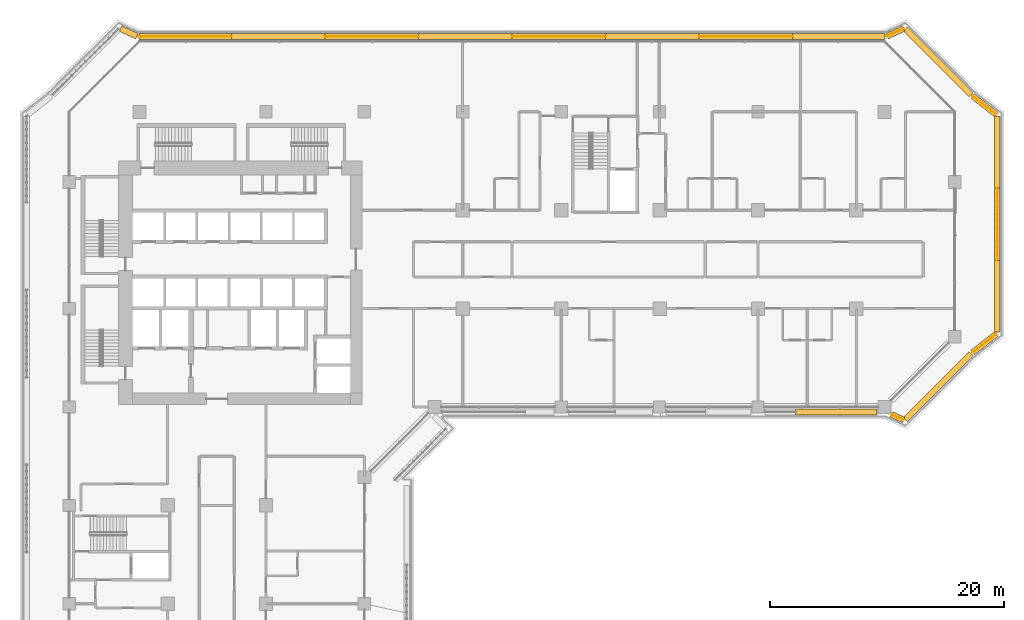
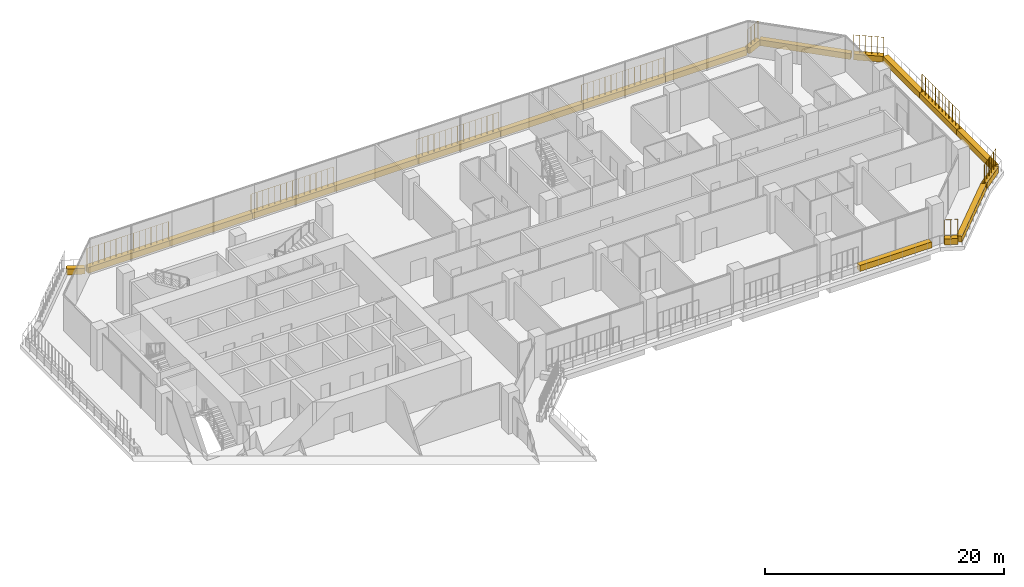
# One storey, part 23 of 23: 19 coverings, 9 railings.
"""IFC4 building model written with IfcOpenShell, lengths in metres."""

from ifc_helpers import new_model, si_unit, direction, frame, origin, origin_2d, place, context, subcontext, project, spatial, rectangle, circle, extrude, material, material_profile, profile_set, type_object, element, save


model = new_model("IFC4")

# Units and contexts
model_context = context("Model", 3, precision=1e-05, world=origin(), true_north=direction((0.0, 1.0)))
body_context = subcontext(model_context, "Body", "Model", "MODEL_VIEW")
ifc_project = project(units=[si_unit("LENGTHUNIT", "METRE"), si_unit("AREAUNIT", "SQUARE_METRE"), si_unit("VOLUMEUNIT", "CUBIC_METRE"), si_unit("PLANEANGLEUNIT", "RADIAN"), si_unit("MASSUNIT", "GRAM", prefix="KILO")], contexts=[model_context])

# Site, building, storey
site_placement = place(None, origin())
site = spatial("IfcSite", under=ifc_project, at=site_placement, CompositionType="ELEMENT")
building_placement = place(site_placement, origin())
building = spatial("IfcBuilding", under=site, at=building_placement, Name="Kawkab Arch Medical Tower", CompositionType="ELEMENT")
storey_placement = place(building_placement, frame((0.0, 0.0, 149.199951171875)))
storey = spatial("IfcBuildingStorey", under=building, at=storey_placement, Name="L34", CompositionType="ELEMENT", Elevation=149.199951171875)

# Coverings
ifc_material_1 = material(Name="Planting soil in a precast trough", Category="concrete")
ifc_material_profile = material_profile(ifc_material_1, rectangle(XDim=0.5, YDim=0.60009765625, at=origin_2d()), Name="Trough 500x600")
ifc_profile_set = profile_set([ifc_material_profile], Name="Planting soil in a precast trough")
covering_type = type_object("IfcCoveringType", Name="Planter trough 500 x 600", PredefinedType="USERDEFINED", material=ifc_profile_set)
covering_1_placement = place(storey_placement, frame((4.37890625, 7.10205078125, 0.300048828125), z_axis=(0.909655525109, -0.415363486165, 0.0), x_axis=(0.415363486165, 0.909655525109, 0.0)))
element("IfcCovering", 1, at=covering_1_placement, inside=storey, type_object=covering_type, Name="Planter L34.LOG-01-01.16", ObjectType="PLANTER", PredefinedType="USERDEFINED", context=body_context, shape_type="SweptSolid", body=[
    extrude(rectangle(XDim=0.5, YDim=0.60009765625, at=origin_2d()), origin(), (0.0, 0.0, 1.0), 1.54345703125),
])
covering_2_placement = place(storey_placement, frame((5.97412109375, 6.419921875, 0.300048828125), z_axis=(1.0, 0.0, 0.0), x_axis=(0.0, 1.0, 0.0)))
element("IfcCovering", 2, at=covering_2_placement, inside=storey, type_object=covering_type, Name="Planter L34.LOG-01-01.17", ObjectType="PLANTER", PredefinedType="USERDEFINED", context=body_context, shape_type="SweptSolid", body=[
    extrude(rectangle(XDim=0.5, YDim=0.60009765625, at=origin_2d()), origin(), (0.0, 0.0, 1.0), 7.8818359375),
])
covering_3_placement = place(storey_placement, frame((13.85595703125, 6.419921875, 0.300048828125), z_axis=(1.0, 0.0, 0.0), x_axis=(0.0, 1.0, 0.0)))
element("IfcCovering", 3, at=covering_3_placement, inside=storey, type_object=covering_type, Name="Planter L34.LOG-01-01.18", ObjectType="PLANTER", PredefinedType="USERDEFINED", context=body_context, shape_type="SweptSolid", body=[
    extrude(rectangle(XDim=0.5, YDim=0.60009765625, at=origin_2d()), origin(), (0.0, 0.0, 1.0), 7.98095703125),
])
covering_4_placement = place(storey_placement, frame((21.8369140625, 6.419921875, 0.300048828125), z_axis=(1.0, 0.0, 0.0), x_axis=(0.0, 1.0, 0.0)))
element("IfcCovering", 4, at=covering_4_placement, inside=storey, type_object=covering_type, Name="Planter L34.LOG-01-01.19", ObjectType="PLANTER", PredefinedType="USERDEFINED", context=body_context, shape_type="SweptSolid", body=[
    extrude(rectangle(XDim=0.5, YDim=0.60009765625, at=origin_2d()), origin(), (0.0, 0.0, 1.0), 7.982177734375),
])
for number, where, z_axis, x_axis, name in (
    (5, (29.819091796875, 6.419921875, 0.300048828125), (1.0, 0.0, 0.0), (0.0, 1.0, 0.0), "Planter L34.LOG-01-01.20"),
    (6, (37.800048828125, 6.419921875, 0.300048828125), (1.0, 0.0, 0.0), (0.0, 1.0, 0.0), "Planter L34.LOG-01-01.21"),
):
    element("IfcCovering", number, at=place(storey_placement, frame(where, z_axis=z_axis, x_axis=x_axis)), inside=storey, type_object=covering_type, Name=name, ObjectType="PLANTER", PredefinedType="USERDEFINED", context=body_context, shape_type="SweptSolid", body=[
        extrude(rectangle(XDim=0.5, YDim=0.60009765625, at=origin_2d()), origin(), (0.0, 0.0, 1.0), 7.98095703125),
    ])
covering_5_placement = place(storey_placement, frame((45.781005859375, 6.419921875, 0.300048828125), z_axis=(1.0, 0.0, 0.0), x_axis=(0.0, 1.0, 0.0)))
element("IfcCovering", 7, at=covering_5_placement, inside=storey, type_object=covering_type, Name="Planter L34.LOG-01-01.22", ObjectType="PLANTER", PredefinedType="USERDEFINED", context=body_context, shape_type="SweptSolid", body=[
    extrude(rectangle(XDim=0.5, YDim=0.60009765625, at=origin_2d()), origin(), (0.0, 0.0, 1.0), 7.98193359375),
])
covering_6_placement = place(storey_placement, frame((53.762939453125, 6.419921875, 0.300048828125), z_axis=(1.0, 0.0, 0.0), x_axis=(0.0, 1.0, 0.0)))
element("IfcCovering", 8, at=covering_6_placement, inside=storey, type_object=covering_type, Name="Planter L34.LOG-01-01.23", ObjectType="PLANTER", PredefinedType="USERDEFINED", context=body_context, shape_type="SweptSolid", body=[
    extrude(rectangle(XDim=0.5, YDim=0.60009765625, at=origin_2d()), origin(), (0.0, 0.0, 1.0), 7.98095703125),
])
covering_7_placement = place(storey_placement, frame((61.743896484375, 6.419921875, 0.300048828125), z_axis=(1.0, 0.0, 0.0), x_axis=(0.0, 1.0, 0.0)))
element("IfcCovering", 9, at=covering_7_placement, inside=storey, type_object=covering_type, Name="Planter L34.LOG-01-01.24", ObjectType="PLANTER", PredefinedType="USERDEFINED", context=body_context, shape_type="SweptSolid", body=[
    extrude(rectangle(XDim=0.5, YDim=0.60009765625, at=origin_2d()), origin(), (0.0, 0.0, 1.0), 7.882080078125),
])
covering_8_placement = place(storey_placement, frame((69.81689453125, 6.4609375, 0.300048828125), z_axis=(0.909655525109, 0.415363486165, 0.0), x_axis=(-0.415363486165, 0.909655525109, 0.0)))
element("IfcCovering", 10, at=covering_8_placement, inside=storey, type_object=covering_type, Name="Planter L34.LOG-01-01.25", ObjectType="PLANTER", PredefinedType="USERDEFINED", context=body_context, shape_type="SweptSolid", body=[
    extrude(rectangle(XDim=0.5, YDim=0.60009765625, at=origin_2d()), origin(), (0.0, 0.0, 1.0), 1.54345703125),
])
covering_9_placement = place(storey_placement, frame((71.383056640625, 7.072998046875, 0.300048828125), z_axis=(0.707091367247, -0.70712219479, 0.0), x_axis=(0.70712219479, 0.707091367247, 0.0)))
element("IfcCovering", 11, at=covering_9_placement, inside=storey, type_object=covering_type, Name="Planter L34.LOG-01-01.26", ObjectType="PLANTER", PredefinedType="USERDEFINED", context=body_context, shape_type="SweptSolid", body=[
    extrude(rectangle(XDim=0.5, YDim=0.60009765625, at=origin_2d()), origin(), (0.0, 0.0, 1.0), 7.919677734375),
])
covering_10_placement = place(storey_placement, frame((77.132080078125, 1.341064453125, 0.300048828125), z_axis=(0.789274742246, -0.61404021143, 0.0), x_axis=(0.61404021143, 0.789274742246, 0.0)))
element("IfcCovering", 12, at=covering_10_placement, inside=storey, type_object=covering_type, Name="Planter L34.LOG-01-01.27", ObjectType="PLANTER", PredefinedType="USERDEFINED", context=body_context, shape_type="SweptSolid", body=[
    extrude(rectangle(XDim=0.5, YDim=0.60009765625, at=origin_2d()), origin(), (0.0, 0.0, 1.0), 2.54541015625),
])
covering_11_placement = place(storey_placement, frame((79.219970703125, -0.384033203125, 0.300048828125), z_axis=(0.0, -1.0, 0.0), x_axis=(1.0, 0.0, 0.0)))
element("IfcCovering", 13, at=covering_11_placement, inside=storey, type_object=covering_type, Name="Planter L34.LOG-01-01.28", ObjectType="PLANTER", PredefinedType="USERDEFINED", context=body_context, shape_type="SweptSolid", body=[
    extrude(rectangle(XDim=0.5, YDim=0.60009765625, at=origin_2d()), origin(), (0.0, 0.0, 1.0), 6.111083984375),
])
covering_12_placement = place(storey_placement, frame((79.219970703125, -6.4951171875, 0.300048828125), z_axis=(0.0, -1.0, 0.0), x_axis=(1.0, 0.0, 0.0)))
element("IfcCovering", 14, at=covering_12_placement, inside=storey, type_object=covering_type, Name="Planter L34.LOG-01-01.29", ObjectType="PLANTER", PredefinedType="USERDEFINED", context=body_context, shape_type="SweptSolid", body=[
    extrude(rectangle(XDim=0.5, YDim=0.60009765625, at=origin_2d()), origin(), (0.0, 0.0, 1.0), 6.2099609375),
])
covering_13_placement = place(storey_placement, frame((79.219970703125, -12.705078125, 0.300048828125), z_axis=(0.0, -1.0, 0.0), x_axis=(1.0, 0.0, 0.0)))
element("IfcCovering", 15, at=covering_13_placement, inside=storey, type_object=covering_type, Name="Planter L34.LOG-01-01.30", ObjectType="PLANTER", PredefinedType="USERDEFINED", context=body_context, shape_type="SweptSolid", body=[
    extrude(rectangle(XDim=0.5, YDim=0.60009765625, at=origin_2d()), origin(), (0.0, 0.0, 1.0), 6.11083984375),
])
covering_14_placement = place(storey_placement, frame((79.14111328125, -18.97802734375, 0.300048828125), z_axis=(-0.789274742246, -0.61404021143, 0.0), x_axis=(0.61404021143, -0.789274742246, 0.0)))
element("IfcCovering", 16, at=covering_14_placement, inside=storey, type_object=covering_type, Name="Planter L34.LOG-01-01.31", ObjectType="PLANTER", PredefinedType="USERDEFINED", context=body_context, shape_type="SweptSolid", body=[
    extrude(rectangle(XDim=0.5, YDim=0.60009765625, at=origin_2d()), origin(), (0.0, 0.0, 1.0), 2.54541015625),
])
covering_15_placement = place(storey_placement, frame((76.98291015625, -20.673095703125, 0.300048828125), z_axis=(-0.707106781187, -0.707106781187, 0.0), x_axis=(0.707106781187, -0.707106781187, 0.0)))
element("IfcCovering", 17, at=covering_15_placement, inside=storey, type_object=covering_type, Name="Planter L34.LOG-01-01.32", ObjectType="PLANTER", PredefinedType="USERDEFINED", context=body_context, shape_type="SweptSolid", body=[
    extrude(rectangle(XDim=0.5, YDim=0.60009765625, at=origin_2d()), origin(), (0.0, 0.0, 1.0), 7.91943359375),
])
covering_16_placement = place(storey_placement, frame((71.220947265625, -26.302001953125, 0.300048828125), z_axis=(-0.90986596287, 0.414902313335, 0.0), x_axis=(-0.414902313335, -0.90986596287, 0.0)))
element("IfcCovering", 18, at=covering_16_placement, inside=storey, type_object=covering_type, Name="Planter L34.LOG-01-01.33", ObjectType="PLANTER", PredefinedType="USERDEFINED", context=body_context, shape_type="SweptSolid", body=[
    extrude(rectangle(XDim=0.5, YDim=0.60009765625, at=origin_2d()), origin(), (0.0, 0.0, 1.0), 1.137451171875),
])
covering_17_placement = place(storey_placement, frame((68.969970703125, -25.6201171875, 0.300048828125), z_axis=(-1.0, 0.0, 0.0), x_axis=(0.0, -1.0, 0.0)))
element("IfcCovering", 19, at=covering_17_placement, inside=storey, type_object=covering_type, Name="Planter L34.LOG-01-01.34", ObjectType="PLANTER", PredefinedType="USERDEFINED", context=body_context, shape_type="SweptSolid", body=[
    extrude(rectangle(XDim=0.5, YDim=0.60009765625, at=origin_2d()), origin(), (0.0, 0.0, 1.0), 6.951904296875),
])

# Railings
ifc_material_2 = material(Name="Bronze anodised aluminium trellis for climbing plants", Category="aluminium")
railing_type = type_object("IfcRailingType", Name="Planting trellis 2400", PredefinedType="USERDEFINED", material=ifc_material_2)
railing_1_placement = place(storey_placement, frame((5.97412109375, 6.419921875, 0.0)))
element("IfcRailing", 20, at=railing_1_placement, inside=storey, type_object=railing_type, Name="Planting trellis L34.LOG-01-01.17", ObjectType="TRELLIS", PredefinedType="USERDEFINED", context=body_context, shape_type="SweptSolid", body=[
    extrude(circle(Radius=0.01513671875, at=origin_2d()), frame((0.0, 0.0, 2.384765625), z_axis=(1.0, 0.0, 0.0), x_axis=(0.0, 1.0, 0.0)), (0.0, 0.0, 1.0), 7.8818359375),
    extrude(circle(Radius=0.030029296875, at=origin_2d()), origin(), (0.0, 0.0, 1.0), 2.369873046875),
    extrude(circle(Radius=0.030029296875, at=origin_2d()), frame((0.56298828125, 0.0, 0.0)), (0.0, 0.0, 1.0), 2.369873046875),
    extrude(circle(Radius=0.030029296875, at=origin_2d()), frame((1.1259765625, 0.0, 0.0)), (0.0, 0.0, 1.0), 2.369873046875),
    extrude(circle(Radius=0.030029296875, at=origin_2d()), frame((1.68896484375, 0.0, 0.0)), (0.0, 0.0, 1.0), 2.369873046875),
    extrude(circle(Radius=0.030029296875, at=origin_2d()), frame((2.251953125, 0.0, 0.0)), (0.0, 0.0, 1.0), 2.369873046875),
    extrude(circle(Radius=0.030029296875, at=origin_2d()), frame((2.81494140625, 0.0, 0.0)), (0.0, 0.0, 1.0), 2.369873046875),
    extrude(circle(Radius=0.030029296875, at=origin_2d()), frame((3.3779296875, 0.0, 0.0)), (0.0, 0.0, 1.0), 2.369873046875),
    extrude(circle(Radius=0.030029296875, at=origin_2d()), frame((3.94091796875, 0.0, 0.0)), (0.0, 0.0, 1.0), 2.369873046875),
    extrude(circle(Radius=0.030029296875, at=origin_2d()), frame((4.50390625, 0.0, 0.0)), (0.0, 0.0, 1.0), 2.369873046875),
    extrude(circle(Radius=0.030029296875, at=origin_2d()), frame((5.06689453125, 0.0, 0.0)), (0.0, 0.0, 1.0), 2.369873046875),
    extrude(circle(Radius=0.030029296875, at=origin_2d()), frame((5.6298828125, 0.0, 0.0)), (0.0, 0.0, 1.0), 2.369873046875),
    extrude(circle(Radius=0.030029296875, at=origin_2d()), frame((6.19287109375, 0.0, 0.0)), (0.0, 0.0, 1.0), 2.369873046875),
    extrude(circle(Radius=0.030029296875, at=origin_2d()), frame((6.755859375, 0.0, 0.0)), (0.0, 0.0, 1.0), 2.369873046875),
    extrude(circle(Radius=0.030029296875, at=origin_2d()), frame((7.31884765625, 0.0, 0.0)), (0.0, 0.0, 1.0), 2.369873046875),
    extrude(circle(Radius=0.030029296875, at=origin_2d()), frame((7.8818359375, 0.0, 0.0)), (0.0, 0.0, 1.0), 2.369873046875),
])
railing_2_placement = place(storey_placement, frame((21.8369140625, 6.419921875, 0.0)))
element("IfcRailing", 21, at=railing_2_placement, inside=storey, type_object=railing_type, Name="Planting trellis L34.LOG-01-01.19", ObjectType="TRELLIS", PredefinedType="USERDEFINED", context=body_context, shape_type="SweptSolid", body=[
    extrude(circle(Radius=0.01513671875, at=origin_2d()), frame((0.0, 0.0, 2.384765625), z_axis=(1.0, 0.0, 0.0), x_axis=(0.0, 1.0, 0.0)), (0.0, 0.0, 1.0), 7.982177734375),
    extrude(circle(Radius=0.030029296875, at=origin_2d()), origin(), (0.0, 0.0, 1.0), 2.369873046875),
    extrude(circle(Radius=0.030029296875, at=origin_2d()), frame((0.570068359375, 0.0, 0.0)), (0.0, 0.0, 1.0), 2.369873046875),
    extrude(circle(Radius=0.030029296875, at=origin_2d()), frame((1.140380859375, 0.0, 0.0)), (0.0, 0.0, 1.0), 2.369873046875),
    extrude(circle(Radius=0.030029296875, at=origin_2d()), frame((1.71044921875, 0.0, 0.0)), (0.0, 0.0, 1.0), 2.369873046875),
    extrude(circle(Radius=0.030029296875, at=origin_2d()), frame((2.280517578125, 0.0, 0.0)), (0.0, 0.0, 1.0), 2.369873046875),
    extrude(circle(Radius=0.030029296875, at=origin_2d()), frame((2.850830078125, 0.0, 0.0)), (0.0, 0.0, 1.0), 2.369873046875),
    extrude(circle(Radius=0.030029296875, at=origin_2d()), frame((3.4208984375, 0.0, 0.0)), (0.0, 0.0, 1.0), 2.369873046875),
    extrude(circle(Radius=0.030029296875, at=origin_2d()), frame((3.9912109375, 0.0, 0.0)), (0.0, 0.0, 1.0), 2.369873046875),
    extrude(circle(Radius=0.030029296875, at=origin_2d()), frame((4.561279296875, 0.0, 0.0)), (0.0, 0.0, 1.0), 2.369873046875),
    extrude(circle(Radius=0.030029296875, at=origin_2d()), frame((5.13134765625, 0.0, 0.0)), (0.0, 0.0, 1.0), 2.369873046875),
    extrude(circle(Radius=0.030029296875, at=origin_2d()), frame((5.70166015625, 0.0, 0.0)), (0.0, 0.0, 1.0), 2.369873046875),
    extrude(circle(Radius=0.030029296875, at=origin_2d()), frame((6.271728515625, 0.0, 0.0)), (0.0, 0.0, 1.0), 2.369873046875),
    extrude(circle(Radius=0.030029296875, at=origin_2d()), frame((6.841796875, 0.0, 0.0)), (0.0, 0.0, 1.0), 2.369873046875),
    extrude(circle(Radius=0.030029296875, at=origin_2d()), frame((7.412109375, 0.0, 0.0)), (0.0, 0.0, 1.0), 2.369873046875),
    extrude(circle(Radius=0.030029296875, at=origin_2d()), frame((7.982177734375, 0.0, 0.0)), (0.0, 0.0, 1.0), 2.369873046875),
])
railing_3_placement = place(storey_placement, frame((37.800048828125, 6.419921875, 0.0)))
element("IfcRailing", 22, at=railing_3_placement, inside=storey, type_object=railing_type, Name="Planting trellis L34.LOG-01-01.21", ObjectType="TRELLIS", PredefinedType="USERDEFINED", context=body_context, shape_type="SweptSolid", body=[
    extrude(circle(Radius=0.01513671875, at=origin_2d()), frame((0.0, 0.0, 2.384765625), z_axis=(1.0, 0.0, 0.0), x_axis=(0.0, 1.0, 0.0)), (0.0, 0.0, 1.0), 7.98095703125),
    extrude(circle(Radius=0.030029296875, at=origin_2d()), origin(), (0.0, 0.0, 1.0), 2.369873046875),
    extrude(circle(Radius=0.030029296875, at=origin_2d()), frame((0.570068359375, 0.0, 0.0)), (0.0, 0.0, 1.0), 2.369873046875),
    extrude(circle(Radius=0.030029296875, at=origin_2d()), frame((1.14013671875, 0.0, 0.0)), (0.0, 0.0, 1.0), 2.369873046875),
    extrude(circle(Radius=0.030029296875, at=origin_2d()), frame((1.710205078125, 0.0, 0.0)), (0.0, 0.0, 1.0), 2.369873046875),
    extrude(circle(Radius=0.030029296875, at=origin_2d()), frame((2.2802734375, 0.0, 0.0)), (0.0, 0.0, 1.0), 2.369873046875),
    extrude(circle(Radius=0.030029296875, at=origin_2d()), frame((2.850341796875, 0.0, 0.0)), (0.0, 0.0, 1.0), 2.369873046875),
    extrude(circle(Radius=0.030029296875, at=origin_2d()), frame((3.42041015625, 0.0, 0.0)), (0.0, 0.0, 1.0), 2.369873046875),
    extrude(circle(Radius=0.030029296875, at=origin_2d()), frame((3.990478515625, 0.0, 0.0)), (0.0, 0.0, 1.0), 2.369873046875),
    extrude(circle(Radius=0.030029296875, at=origin_2d()), frame((4.560546875, 0.0, 0.0)), (0.0, 0.0, 1.0), 2.369873046875),
    extrude(circle(Radius=0.030029296875, at=origin_2d()), frame((5.130615234375, 0.0, 0.0)), (0.0, 0.0, 1.0), 2.369873046875),
    extrude(circle(Radius=0.030029296875, at=origin_2d()), frame((5.70068359375, 0.0, 0.0)), (0.0, 0.0, 1.0), 2.369873046875),
    extrude(circle(Radius=0.030029296875, at=origin_2d()), frame((6.270751953125, 0.0, 0.0)), (0.0, 0.0, 1.0), 2.369873046875),
    extrude(circle(Radius=0.030029296875, at=origin_2d()), frame((6.8408203125, 0.0, 0.0)), (0.0, 0.0, 1.0), 2.369873046875),
    extrude(circle(Radius=0.030029296875, at=origin_2d()), frame((7.410888671875, 0.0, 0.0)), (0.0, 0.0, 1.0), 2.369873046875),
    extrude(circle(Radius=0.030029296875, at=origin_2d()), frame((7.98095703125, 0.0, 0.0)), (0.0, 0.0, 1.0), 2.369873046875),
])
railing_4_placement = place(storey_placement, frame((53.762939453125, 6.419921875, 0.0)))
element("IfcRailing", 23, at=railing_4_placement, inside=storey, type_object=railing_type, Name="Planting trellis L34.LOG-01-01.23", ObjectType="TRELLIS", PredefinedType="USERDEFINED", context=body_context, shape_type="SweptSolid", body=[
    extrude(circle(Radius=0.01513671875, at=origin_2d()), frame((0.0, 0.0, 2.384765625), z_axis=(1.0, 0.0, 0.0), x_axis=(0.0, 1.0, 0.0)), (0.0, 0.0, 1.0), 7.98095703125),
    extrude(circle(Radius=0.030029296875, at=origin_2d()), origin(), (0.0, 0.0, 1.0), 2.369873046875),
    extrude(circle(Radius=0.030029296875, at=origin_2d()), frame((0.570068359375, 0.0, 0.0)), (0.0, 0.0, 1.0), 2.369873046875),
    extrude(circle(Radius=0.030029296875, at=origin_2d()), frame((1.14013671875, 0.0, 0.0)), (0.0, 0.0, 1.0), 2.369873046875),
    extrude(circle(Radius=0.030029296875, at=origin_2d()), frame((1.710205078125, 0.0, 0.0)), (0.0, 0.0, 1.0), 2.369873046875),
    extrude(circle(Radius=0.030029296875, at=origin_2d()), frame((2.2802734375, 0.0, 0.0)), (0.0, 0.0, 1.0), 2.369873046875),
    extrude(circle(Radius=0.030029296875, at=origin_2d()), frame((2.850341796875, 0.0, 0.0)), (0.0, 0.0, 1.0), 2.369873046875),
    extrude(circle(Radius=0.030029296875, at=origin_2d()), frame((3.42041015625, 0.0, 0.0)), (0.0, 0.0, 1.0), 2.369873046875),
    extrude(circle(Radius=0.030029296875, at=origin_2d()), frame((3.990478515625, 0.0, 0.0)), (0.0, 0.0, 1.0), 2.369873046875),
    extrude(circle(Radius=0.030029296875, at=origin_2d()), frame((4.560546875, 0.0, 0.0)), (0.0, 0.0, 1.0), 2.369873046875),
    extrude(circle(Radius=0.030029296875, at=origin_2d()), frame((5.130615234375, 0.0, 0.0)), (0.0, 0.0, 1.0), 2.369873046875),
    extrude(circle(Radius=0.030029296875, at=origin_2d()), frame((5.70068359375, 0.0, 0.0)), (0.0, 0.0, 1.0), 2.369873046875),
    extrude(circle(Radius=0.030029296875, at=origin_2d()), frame((6.270751953125, 0.0, 0.0)), (0.0, 0.0, 1.0), 2.369873046875),
    extrude(circle(Radius=0.030029296875, at=origin_2d()), frame((6.8408203125, 0.0, 0.0)), (0.0, 0.0, 1.0), 2.369873046875),
    extrude(circle(Radius=0.030029296875, at=origin_2d()), frame((7.410888671875, 0.0, 0.0)), (0.0, 0.0, 1.0), 2.369873046875),
    extrude(circle(Radius=0.030029296875, at=origin_2d()), frame((7.98095703125, 0.0, 0.0)), (0.0, 0.0, 1.0), 2.369873046875),
])
railing_5_placement = place(storey_placement, frame((69.81689453125, 6.4609375, 0.0)))
element("IfcRailing", 24, at=railing_5_placement, inside=storey, type_object=railing_type, Name="Planting trellis L34.LOG-01-01.25", ObjectType="TRELLIS", PredefinedType="USERDEFINED", context=body_context, shape_type="SweptSolid", body=[
    extrude(circle(Radius=0.01513671875, at=origin_2d()), frame((0.0, 0.0, 2.384765625), z_axis=(0.909655525109, 0.415363486165, 0.0), x_axis=(-0.415363486165, 0.909655525109, 0.0)), (0.0, 0.0, 1.0), 1.54345703125),
    extrude(circle(Radius=0.030029296875, at=origin_2d()), origin(), (0.0, 0.0, 1.0), 2.369873046875),
    extrude(circle(Radius=0.030029296875, at=origin_2d()), frame((0.468017578125, 0.213623046875, 0.0)), (0.0, 0.0, 1.0), 2.369873046875),
    extrude(circle(Radius=0.030029296875, at=origin_2d()), frame((0.93603515625, 0.427490234375, 0.0)), (0.0, 0.0, 1.0), 2.369873046875),
    extrude(circle(Radius=0.030029296875, at=origin_2d()), frame((1.404052734375, 0.64111328125, 0.0)), (0.0, 0.0, 1.0), 2.369873046875),
])
railing_6_placement = place(storey_placement, frame((77.132080078125, 1.341064453125, 0.0)))
element("IfcRailing", 25, at=railing_6_placement, inside=storey, type_object=railing_type, Name="Planting trellis L34.LOG-01-01.27", ObjectType="TRELLIS", PredefinedType="USERDEFINED", context=body_context, shape_type="SweptSolid", body=[
    extrude(circle(Radius=0.01513671875, at=origin_2d()), frame((0.0, 0.0, 2.384765625), z_axis=(0.789274742246, -0.61404021143, 0.0), x_axis=(0.61404021143, 0.789274742246, 0.0)), (0.0, 0.0, 1.0), 2.54541015625),
    extrude(circle(Radius=0.030029296875, at=origin_2d()), origin(), (0.0, 0.0, 1.0), 2.369873046875),
    extrude(circle(Radius=0.030029296875, at=origin_2d()), frame((0.40185546875, -0.3125, 0.0)), (0.0, 0.0, 1.0), 2.369873046875),
    extrude(circle(Radius=0.030029296875, at=origin_2d()), frame((0.8037109375, -0.625244140625, 0.0)), (0.0, 0.0, 1.0), 2.369873046875),
    extrude(circle(Radius=0.030029296875, at=origin_2d()), frame((1.205322265625, -0.937744140625, 0.0)), (0.0, 0.0, 1.0), 2.369873046875),
    extrude(circle(Radius=0.030029296875, at=origin_2d()), frame((1.607177734375, -1.25048828125, 0.0)), (0.0, 0.0, 1.0), 2.369873046875),
    extrude(circle(Radius=0.030029296875, at=origin_2d()), frame((2.009033203125, -1.56298828125, 0.0)), (0.0, 0.0, 1.0), 2.369873046875),
])
railing_7_placement = place(storey_placement, frame((79.219970703125, -6.4951171875, 0.0)))
element("IfcRailing", 26, at=railing_7_placement, inside=storey, type_object=railing_type, Name="Planting trellis L34.LOG-01-01.29", ObjectType="TRELLIS", PredefinedType="USERDEFINED", context=body_context, shape_type="SweptSolid", body=[
    extrude(circle(Radius=0.01513671875, at=origin_2d()), frame((0.0, 0.0, 2.384765625), z_axis=(0.0, -1.0, 0.0), x_axis=(1.0, 0.0, 0.0)), (0.0, 0.0, 1.0), 6.2099609375),
    extrude(circle(Radius=0.030029296875, at=origin_2d()), origin(), (0.0, 0.0, 1.0), 2.369873046875),
    extrude(circle(Radius=0.030029296875, at=origin_2d()), frame((0.0, -0.564453125, 0.0)), (0.0, 0.0, 1.0), 2.369873046875),
    extrude(circle(Radius=0.030029296875, at=origin_2d()), frame((0.0, -1.129150390625, 0.0)), (0.0, 0.0, 1.0), 2.369873046875),
    extrude(circle(Radius=0.030029296875, at=origin_2d()), frame((0.0, -1.693603515625, 0.0)), (0.0, 0.0, 1.0), 2.369873046875),
    extrude(circle(Radius=0.030029296875, at=origin_2d()), frame((0.0, -2.258056640625, 0.0)), (0.0, 0.0, 1.0), 2.369873046875),
    extrude(circle(Radius=0.030029296875, at=origin_2d()), frame((0.0, -2.82275390625, 0.0)), (0.0, 0.0, 1.0), 2.369873046875),
    extrude(circle(Radius=0.030029296875, at=origin_2d()), frame((0.0, -3.38720703125, 0.0)), (0.0, 0.0, 1.0), 2.369873046875),
    extrude(circle(Radius=0.030029296875, at=origin_2d()), frame((0.0, -3.951904296875, 0.0)), (0.0, 0.0, 1.0), 2.369873046875),
    extrude(circle(Radius=0.030029296875, at=origin_2d()), frame((0.0, -4.516357421875, 0.0)), (0.0, 0.0, 1.0), 2.369873046875),
    extrude(circle(Radius=0.030029296875, at=origin_2d()), frame((0.0, -5.080810546875, 0.0)), (0.0, 0.0, 1.0), 2.369873046875),
    extrude(circle(Radius=0.030029296875, at=origin_2d()), frame((0.0, -5.6455078125, 0.0)), (0.0, 0.0, 1.0), 2.369873046875),
    extrude(circle(Radius=0.030029296875, at=origin_2d()), frame((0.0, -6.2099609375, 0.0)), (0.0, 0.0, 1.0), 2.369873046875),
])
railing_8_placement = place(storey_placement, frame((79.14111328125, -18.97802734375, 0.0)))
element("IfcRailing", 27, at=railing_8_placement, inside=storey, type_object=railing_type, Name="Planting trellis L34.LOG-01-01.31", ObjectType="TRELLIS", PredefinedType="USERDEFINED", context=body_context, shape_type="SweptSolid", body=[
    extrude(circle(Radius=0.01513671875, at=origin_2d()), frame((0.0, 0.0, 2.384765625), z_axis=(-0.789274742246, -0.61404021143, 0.0), x_axis=(0.61404021143, -0.789274742246, 0.0)), (0.0, 0.0, 1.0), 2.54541015625),
    extrude(circle(Radius=0.030029296875, at=origin_2d()), origin(), (0.0, 0.0, 1.0), 2.369873046875),
    extrude(circle(Radius=0.030029296875, at=origin_2d()), frame((-0.40185546875, -0.3125, 0.0)), (0.0, 0.0, 1.0), 2.369873046875),
    extrude(circle(Radius=0.030029296875, at=origin_2d()), frame((-0.8037109375, -0.625244140625, 0.0)), (0.0, 0.0, 1.0), 2.369873046875),
    extrude(circle(Radius=0.030029296875, at=origin_2d()), frame((-1.205322265625, -0.937744140625, 0.0)), (0.0, 0.0, 1.0), 2.369873046875),
    extrude(circle(Radius=0.030029296875, at=origin_2d()), frame((-1.607177734375, -1.25048828125, 0.0)), (0.0, 0.0, 1.0), 2.369873046875),
    extrude(circle(Radius=0.030029296875, at=origin_2d()), frame((-2.009033203125, -1.56298828125, 0.0)), (0.0, 0.0, 1.0), 2.369873046875),
])
railing_9_placement = place(storey_placement, frame((71.220947265625, -26.302001953125, 0.0)))
element("IfcRailing", 28, at=railing_9_placement, inside=storey, type_object=railing_type, Name="Planting trellis L34.LOG-01-01.33", ObjectType="TRELLIS", PredefinedType="USERDEFINED", context=body_context, shape_type="SweptSolid", body=[
    extrude(circle(Radius=0.01513671875, at=origin_2d()), frame((0.0, 0.0, 2.384765625), z_axis=(-0.90986596287, 0.414902313335, 0.0), x_axis=(-0.414902313335, -0.90986596287, 0.0)), (0.0, 0.0, 1.0), 1.137451171875),
    extrude(circle(Radius=0.030029296875, at=origin_2d()), origin(), (0.0, 0.0, 1.0), 2.369873046875),
    extrude(circle(Radius=0.030029296875, at=origin_2d()), frame((-0.517578125, 0.23583984375, 0.0)), (0.0, 0.0, 1.0), 2.369873046875),
    extrude(circle(Radius=0.030029296875, at=origin_2d()), frame((-1.034912109375, 0.471923828125, 0.0)), (0.0, 0.0, 1.0), 2.369873046875),
])

save(model, "model.ifc")
